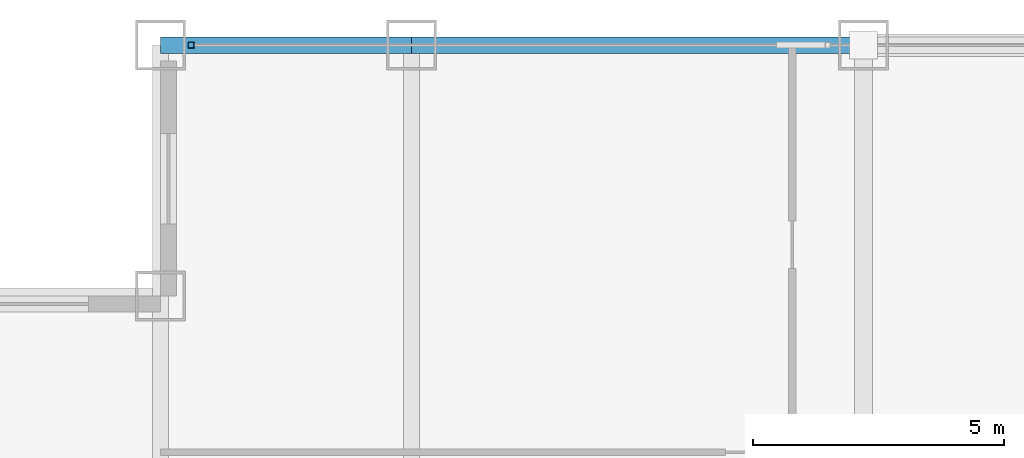
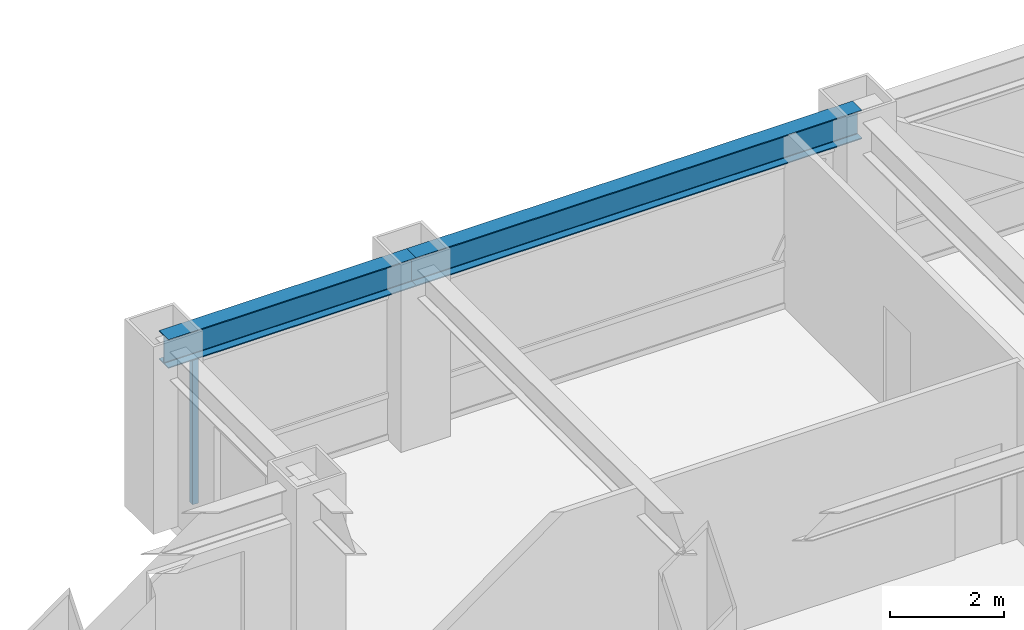
# One storey, part 14 of 25: 2 beams, 1 member, 1 element without a shape of its own.
"""IFC4 building model written with IfcOpenShell, lengths in metres."""

from ifc_helpers import new_model, si_unit, direction, frame, origin, origin_2d, place, context, subcontext, project, spatial, hollow_rectangle, i_section, extrude, source, transform, mapped, material, material_profile, profile_set, type_object, element, aggregate, save


model = new_model("IFC4")

# Units and contexts
model_context = context("Model", 3, precision=1e-05, world=origin(), true_north=direction((0.0, 1.0)))
body_context = subcontext(model_context, "Body", "Model", "MODEL_VIEW")
ifc_project = project(units=[si_unit("LENGTHUNIT", "METRE"), si_unit("AREAUNIT", "SQUARE_METRE"), si_unit("VOLUMEUNIT", "CUBIC_METRE"), si_unit("PLANEANGLEUNIT", "RADIAN"), si_unit("MASSUNIT", "GRAM", prefix="KILO")], contexts=[model_context])

# Site, building, storey
site_placement = place(None, origin())
site = spatial("IfcSite", under=ifc_project, at=site_placement, CompositionType="ELEMENT")
building_placement = place(site_placement, origin())
building = spatial("IfcBuilding", under=site, at=building_placement, Name="Khorayat Bourse Tower", CompositionType="ELEMENT")
storey_placement = place(building_placement, frame((0.0, 0.0, 223.10009765625)))
storey = spatial("IfcBuildingStorey", under=building, at=storey_placement, Name="L52", CompositionType="ELEMENT", Elevation=223.10009765625)

# Beams
ifc_material_1 = material(Name="Steel ASTM A992 Grade 50", Category="steel")
ifc_material_profile_1 = material_profile(ifc_material_1, i_section(OverallWidth=0.324951171875, OverallDepth=0.615966796875, WebThickness=0.013916015625, FlangeThickness=0.021484375, FilletRadius=0.01611328125, at=origin_2d()), Name="W610X174")
ifc_profile_set_1 = profile_set([ifc_material_profile_1], Name="Steel ASTM A992 Grade 50")
beam_type = type_object("IfcBeamType", Name="BM-SPAN-610", PredefinedType="SPANDREL", material=ifc_profile_set_1)
shared_shape_1 = source(origin(), body_context, "Body", "SweptSolid", [
    extrude(i_section(OverallWidth=0.324951171875, OverallDepth=0.615966796875, WebThickness=0.013916015625, FlangeThickness=0.021484375, FilletRadius=0.01611328125, at=origin_2d()), origin(), (0.0, 0.0, 1.0), 9.0),
])
beam_1_placement = place(storey_placement, frame((-20.0, 30.0, 3.471923828125), z_axis=(1.0, 0.0, 0.0), x_axis=(0.0, 1.0, 0.0)))
element("IfcBeam", 1, at=beam_1_placement, inside=storey, type_object=beam_type, Name="L52 BM-SPAN-610 BM-L52-SPN-050", PredefinedType="SPANDREL", context=body_context, shape_type="MappedRepresentation", body=[
    mapped(shared_shape_1, transform((0.0, 0.0, 0.0), scale=1.0)),
])
shared_shape_2 = source(origin(), body_context, "Body", "SweptSolid", [
    extrude(i_section(OverallWidth=0.324951171875, OverallDepth=0.615966796875, WebThickness=0.013916015625, FlangeThickness=0.021484375, FilletRadius=0.01611328125, at=origin_2d()), origin(), (0.0, 0.0, 1.0), 5.0),
])
beam_2_placement = place(storey_placement, frame((-25.0, 30.0, 3.471923828125), z_axis=(1.0, 0.0, 0.0), x_axis=(0.0, 1.0, 0.0)))
element("IfcBeam", 2, at=beam_2_placement, inside=storey, type_object=beam_type, Name="L52 BM-SPAN-610 BM-L52-SPN-051", PredefinedType="SPANDREL", context=body_context, shape_type="MappedRepresentation", body=[
    mapped(shared_shape_2, transform((0.0, 0.0, 0.0), scale=1.0)),
])

# Curtain wall, member
ifc_material_2 = material(Name="Aluminium EN AW-6063 T6", Category="aluminium")
curtain_wall_type = type_object("IfcCurtainWallType", Name="CW-SYS-03", PredefinedType="NOTDEFINED", material=ifc_material_2)
curtain_wall_placement = place(storey_placement, origin())
curtain_wall = element("IfcCurtainWall", 3, at=curtain_wall_placement, inside=storey, type_object=curtain_wall_type, Name="L52 Curtain Wall CW-L52-N1", PredefinedType="NOTDEFINED")
ifc_material_profile_2 = material_profile(ifc_material_2, hollow_rectangle(XDim=0.1201171875, YDim=0.1201171875, WallThickness=0.0048828125, at=origin_2d()), Name="ALU 120x120x5")
ifc_profile_set_2 = profile_set([ifc_material_profile_2], Name="Aluminium EN AW-6063 T6")
member_type = type_object("IfcMemberType", Name="CWM-VERT-120", PredefinedType="MULLION", material=ifc_profile_set_2)
shared_shape_3 = source(origin(), body_context, "Body", "SweptSolid", [
    extrude(hollow_rectangle(XDim=0.1201171875, YDim=0.1201171875, WallThickness=0.0048828125, at=origin_2d()), origin(), (0.0, 0.0, 1.0), 3.1298828125),
])
member_placement = place(storey_placement, frame((-24.389892578125, 30.0, 0.0), z_axis=(0.0, 0.0, 1.0), x_axis=(0.0, 1.0, 0.0)))
member = element("IfcMember", 4, at=member_placement, type_object=member_type, Name="CW-L52-N1 Vertical Mullion 1", PredefinedType="MULLION", context=body_context, shape_type="MappedRepresentation", body=[
    mapped(shared_shape_3, transform((0.0, 0.0, 0.0), scale=1.0)),
])
aggregate(curtain_wall, [member])

save(model, "model.ifc")
